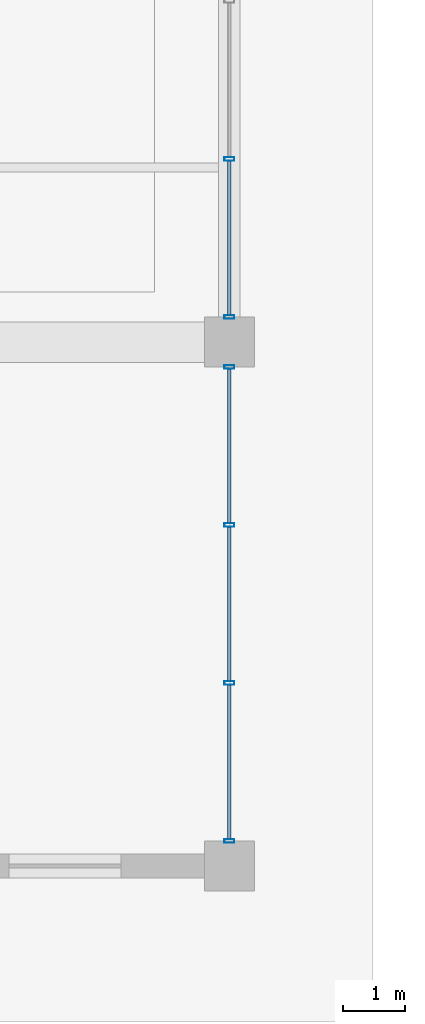
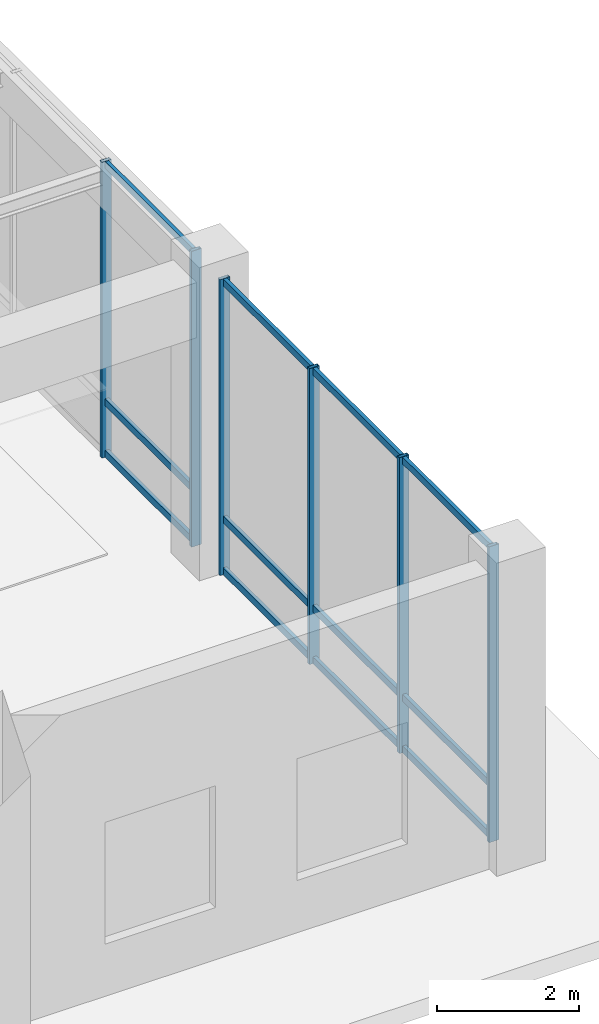
# One storey, part 86 of 157: 18 members, 2 elements without a shape of their own.
"""IFC4 building model written with IfcOpenShell, lengths in metres."""

from ifc_helpers import new_model, si_unit, direction, frame, origin, origin_2d, place, context, subcontext, project, spatial, hollow_rectangle, extrude, material, material_profile, profile_set, type_object, element, aggregate, save


model = new_model("IFC4")

# Units and contexts
model_context = context("Model", 3, precision=1e-05, world=origin(), true_north=direction((0.0, 1.0)))
body_context = subcontext(model_context, "Body", "Model", "MODEL_VIEW")
ifc_project = project(units=[si_unit("LENGTHUNIT", "METRE"), si_unit("AREAUNIT", "SQUARE_METRE"), si_unit("VOLUMEUNIT", "CUBIC_METRE"), si_unit("PLANEANGLEUNIT", "RADIAN"), si_unit("MASSUNIT", "GRAM", prefix="KILO"), si_unit("THERMODYNAMICTEMPERATUREUNIT", "KELVIN"), si_unit("POWERUNIT", "WATT")], contexts=[model_context])

# Site, building, storey
site_placement = place(None, origin())
site = spatial("IfcSite", under=ifc_project, at=site_placement, CompositionType="ELEMENT")
building_placement = place(site_placement, origin())
building = spatial("IfcBuilding", under=site, at=building_placement, Name="Darbajah Civic Hall", CompositionType="ELEMENT")
storey_placement = place(building_placement, origin())
storey = spatial("IfcBuildingStorey", under=building, at=storey_placement, Name="L00", CompositionType="ELEMENT", Elevation=0.0)

# Curtain wall, members
ifc_material_1 = material(Name="Anodised Bronze Aluminium and Low-E Glazing", Category="aluminium")
curtain_wall_type = type_object("IfcCurtainWallType", Name="Unitised Curtain Wall CW-17 7600x5100", PredefinedType="USERDEFINED", material=ifc_material_1)
curtain_wall_1_placement = place(storey_placement, origin())
curtain_wall_1 = element("IfcCurtainWall", 1, at=curtain_wall_1_placement, inside=storey, type_object=curtain_wall_type, Name="L00 unitised curtain wall CW-V3-L00-S1-B0", ObjectType="UNITISED CURTAIN WALL", PredefinedType="USERDEFINED")
ifc_material_2 = material(Name="Anodised Bronze Aluminium", Category="aluminium")
ifc_material_profile_1 = material_profile(ifc_material_2, hollow_rectangle(XDim=0.06005859375, YDim=0.159912109375, WallThickness=0.00341796875, at=origin_2d()), Name="ALU MULLION 60x160")
ifc_profile_set_1 = profile_set([ifc_material_profile_1], Name="Anodised Bronze Aluminium")
member_type_1 = type_object("IfcMemberType", Name="ALU MULLION 60x160", PredefinedType="MULLION", material=ifc_profile_set_1)
member_1_placement = place(storey_placement, frame((178.199951171875, 0.402099609375, 0.0), z_axis=(0.0, 0.0, 1.0), x_axis=(0.0, 1.0, 0.0)))
member_1 = element("IfcMember", 2, at=member_1_placement, type_object=member_type_1, Name="CW-V3-L00-S1-B0 mullion 1", PredefinedType="MULLION", context=body_context, shape_type="SweptSolid", body=[
    extrude(hollow_rectangle(XDim=0.06005859375, YDim=0.159912109375, WallThickness=0.00341796875, at=origin_2d()), origin(), (0.0, 0.0, 1.0), 5.10009765625),
])
member_2_placement = place(storey_placement, frame((178.199951171875, 2.93408203125, 0.0), z_axis=(0.0, 0.0, 1.0), x_axis=(0.0, 1.0, 0.0)))
member_2 = element("IfcMember", 3, at=member_2_placement, type_object=member_type_1, Name="CW-V3-L00-S1-B0 mullion 2", PredefinedType="MULLION", context=body_context, shape_type="SweptSolid", body=[
    extrude(hollow_rectangle(XDim=0.06005859375, YDim=0.159912109375, WallThickness=0.00341796875, at=origin_2d()), origin(), (0.0, 0.0, 1.0), 5.10009765625),
])
member_3_placement = place(storey_placement, frame((178.199951171875, 5.466064453125, 0.0), z_axis=(0.0, 0.0, 1.0), x_axis=(0.0, 1.0, 0.0)))
member_3 = element("IfcMember", 4, at=member_3_placement, type_object=member_type_1, Name="CW-V3-L00-S1-B0 mullion 3", PredefinedType="MULLION", context=body_context, shape_type="SweptSolid", body=[
    extrude(hollow_rectangle(XDim=0.06005859375, YDim=0.159912109375, WallThickness=0.00341796875, at=origin_2d()), origin(), (0.0, 0.0, 1.0), 5.10009765625),
])
member_4_placement = place(storey_placement, frame((178.199951171875, 7.998046875, 0.0), z_axis=(0.0, 0.0, 1.0), x_axis=(0.0, 1.0, 0.0)))
member_4 = element("IfcMember", 5, at=member_4_placement, type_object=member_type_1, Name="CW-V3-L00-S1-B0 mullion 4", PredefinedType="MULLION", context=body_context, shape_type="SweptSolid", body=[
    extrude(hollow_rectangle(XDim=0.06005859375, YDim=0.159912109375, WallThickness=0.00341796875, at=origin_2d()), origin(), (0.0, 0.0, 1.0), 5.10009765625),
])

curtain_wall_2_placement = place(storey_placement, origin())
curtain_wall_2 = element("IfcCurtainWall", 6, at=curtain_wall_2_placement, inside=storey, type_object=curtain_wall_type, Name="L00 unitised curtain wall CW-V3-L00-S1-B1", ObjectType="UNITISED CURTAIN WALL", PredefinedType="USERDEFINED")
member_5_placement = place(storey_placement, frame((178.199951171875, 8.802001953125, 0.0), z_axis=(0.0, 0.0, 1.0), x_axis=(0.0, 1.0, 0.0)))
member_5 = element("IfcMember", 7, at=member_5_placement, type_object=member_type_1, Name="CW-V3-L00-S1-B1 mullion 1", PredefinedType="MULLION", context=body_context, shape_type="SweptSolid", body=[
    extrude(hollow_rectangle(XDim=0.06005859375, YDim=0.159912109375, WallThickness=0.00341796875, at=origin_2d()), origin(), (0.0, 0.0, 1.0), 5.10009765625),
])
member_6_placement = place(storey_placement, frame((178.199951171875, 11.333984375, 0.0), z_axis=(0.0, 0.0, 1.0), x_axis=(0.0, 1.0, 0.0)))
member_6 = element("IfcMember", 8, at=member_6_placement, type_object=member_type_1, Name="CW-V3-L00-S1-B1 mullion 2", PredefinedType="MULLION", context=body_context, shape_type="SweptSolid", body=[
    extrude(hollow_rectangle(XDim=0.06005859375, YDim=0.159912109375, WallThickness=0.00341796875, at=origin_2d()), origin(), (0.0, 0.0, 1.0), 5.10009765625),
])

# Member
ifc_material_profile_2 = material_profile(ifc_material_2, hollow_rectangle(XDim=0.06005859375, YDim=0.1201171875, WallThickness=0.003173828125, at=origin_2d()), Name="ALU TRANSOM 60x120")
ifc_profile_set_2 = profile_set([ifc_material_profile_2], Name="Anodised Bronze Aluminium")
member_type_2 = type_object("IfcMemberType", Name="ALU TRANSOM 60x120", PredefinedType="USERDEFINED", material=ifc_profile_set_2)
member_7_placement = place(storey_placement, frame((178.199951171875, 0.43701171875, 0.06005859375), z_axis=(0.0, 1.0, 0.0), x_axis=(-1.0, 0.0, 0.0)))
member_7 = element("IfcMember", 9, at=member_7_placement, type_object=member_type_2, Name="CW-V3-L00-S1-B0 transom 1.1", ObjectType="TRANSOM", PredefinedType="USERDEFINED", context=body_context, shape_type="SweptSolid", body=[
    extrude(hollow_rectangle(XDim=0.06005859375, YDim=0.1201171875, WallThickness=0.003173828125, at=origin_2d()), origin(), (0.0, 0.0, 1.0), 2.4619140625),
])

member_8_placement = place(storey_placement, frame((178.199951171875, 0.43701171875, 0.949951171875), z_axis=(0.0, 1.0, 0.0), x_axis=(-1.0, 0.0, 0.0)))
member_8 = element("IfcMember", 10, at=member_8_placement, type_object=member_type_2, Name="CW-V3-L00-S1-B0 transom 1.2", ObjectType="TRANSOM", PredefinedType="USERDEFINED", context=body_context, shape_type="SweptSolid", body=[
    extrude(hollow_rectangle(XDim=0.06005859375, YDim=0.1201171875, WallThickness=0.003173828125, at=origin_2d()), origin(), (0.0, 0.0, 1.0), 2.4619140625),
])

member_9_placement = place(storey_placement, frame((178.199951171875, 0.43701171875, 5.0400390625), z_axis=(0.0, 1.0, 0.0), x_axis=(-1.0, 0.0, 0.0)))
member_9 = element("IfcMember", 11, at=member_9_placement, type_object=member_type_2, Name="CW-V3-L00-S1-B0 transom 1.3", ObjectType="TRANSOM", PredefinedType="USERDEFINED", context=body_context, shape_type="SweptSolid", body=[
    extrude(hollow_rectangle(XDim=0.06005859375, YDim=0.1201171875, WallThickness=0.003173828125, at=origin_2d()), origin(), (0.0, 0.0, 1.0), 2.4619140625),
])

member_10_placement = place(storey_placement, frame((178.199951171875, 2.968994140625, 0.06005859375), z_axis=(0.0, 1.0, 0.0), x_axis=(-1.0, 0.0, 0.0)))
member_10 = element("IfcMember", 12, at=member_10_placement, type_object=member_type_2, Name="CW-V3-L00-S1-B0 transom 2.1", ObjectType="TRANSOM", PredefinedType="USERDEFINED", context=body_context, shape_type="SweptSolid", body=[
    extrude(hollow_rectangle(XDim=0.06005859375, YDim=0.1201171875, WallThickness=0.003173828125, at=origin_2d()), origin(), (0.0, 0.0, 1.0), 2.4619140625),
])

member_11_placement = place(storey_placement, frame((178.199951171875, 2.968994140625, 0.949951171875), z_axis=(0.0, 1.0, 0.0), x_axis=(-1.0, 0.0, 0.0)))
member_11 = element("IfcMember", 13, at=member_11_placement, type_object=member_type_2, Name="CW-V3-L00-S1-B0 transom 2.2", ObjectType="TRANSOM", PredefinedType="USERDEFINED", context=body_context, shape_type="SweptSolid", body=[
    extrude(hollow_rectangle(XDim=0.06005859375, YDim=0.1201171875, WallThickness=0.003173828125, at=origin_2d()), origin(), (0.0, 0.0, 1.0), 2.4619140625),
])

member_12_placement = place(storey_placement, frame((178.199951171875, 2.968994140625, 5.0400390625), z_axis=(0.0, 1.0, 0.0), x_axis=(-1.0, 0.0, 0.0)))
member_12 = element("IfcMember", 14, at=member_12_placement, type_object=member_type_2, Name="CW-V3-L00-S1-B0 transom 2.3", ObjectType="TRANSOM", PredefinedType="USERDEFINED", context=body_context, shape_type="SweptSolid", body=[
    extrude(hollow_rectangle(XDim=0.06005859375, YDim=0.1201171875, WallThickness=0.003173828125, at=origin_2d()), origin(), (0.0, 0.0, 1.0), 2.4619140625),
])

member_13_placement = place(storey_placement, frame((178.199951171875, 5.5009765625, 0.06005859375), z_axis=(0.0, 1.0, 0.0), x_axis=(-1.0, 0.0, 0.0)))
member_13 = element("IfcMember", 15, at=member_13_placement, type_object=member_type_2, Name="CW-V3-L00-S1-B0 transom 3.1", ObjectType="TRANSOM", PredefinedType="USERDEFINED", context=body_context, shape_type="SweptSolid", body=[
    extrude(hollow_rectangle(XDim=0.06005859375, YDim=0.1201171875, WallThickness=0.003173828125, at=origin_2d()), origin(), (0.0, 0.0, 1.0), 2.4619140625),
])

member_14_placement = place(storey_placement, frame((178.199951171875, 5.5009765625, 0.949951171875), z_axis=(0.0, 1.0, 0.0), x_axis=(-1.0, 0.0, 0.0)))
member_14 = element("IfcMember", 16, at=member_14_placement, type_object=member_type_2, Name="CW-V3-L00-S1-B0 transom 3.2", ObjectType="TRANSOM", PredefinedType="USERDEFINED", context=body_context, shape_type="SweptSolid", body=[
    extrude(hollow_rectangle(XDim=0.06005859375, YDim=0.1201171875, WallThickness=0.003173828125, at=origin_2d()), origin(), (0.0, 0.0, 1.0), 2.4619140625),
])

member_15_placement = place(storey_placement, frame((178.199951171875, 5.5009765625, 5.0400390625), z_axis=(0.0, 1.0, 0.0), x_axis=(-1.0, 0.0, 0.0)))
member_15 = element("IfcMember", 17, at=member_15_placement, type_object=member_type_2, Name="CW-V3-L00-S1-B0 transom 3.3", ObjectType="TRANSOM", PredefinedType="USERDEFINED", context=body_context, shape_type="SweptSolid", body=[
    extrude(hollow_rectangle(XDim=0.06005859375, YDim=0.1201171875, WallThickness=0.003173828125, at=origin_2d()), origin(), (0.0, 0.0, 1.0), 2.4619140625),
])

aggregate(curtain_wall_1, [member_1, member_2, member_3, member_4, member_7, member_8, member_9, member_10, member_11, member_12, member_13, member_14, member_15])

member_16_placement = place(storey_placement, frame((178.199951171875, 8.8369140625, 0.06005859375), z_axis=(0.0, 1.0, 0.0), x_axis=(-1.0, 0.0, 0.0)))
member_16 = element("IfcMember", 18, at=member_16_placement, type_object=member_type_2, Name="CW-V3-L00-S1-B1 transom 1.1", ObjectType="TRANSOM", PredefinedType="USERDEFINED", context=body_context, shape_type="SweptSolid", body=[
    extrude(hollow_rectangle(XDim=0.06005859375, YDim=0.1201171875, WallThickness=0.003173828125, at=origin_2d()), origin(), (0.0, 0.0, 1.0), 2.462158203125),
])

member_17_placement = place(storey_placement, frame((178.199951171875, 8.8369140625, 0.949951171875), z_axis=(0.0, 1.0, 0.0), x_axis=(-1.0, 0.0, 0.0)))
member_17 = element("IfcMember", 19, at=member_17_placement, type_object=member_type_2, Name="CW-V3-L00-S1-B1 transom 1.2", ObjectType="TRANSOM", PredefinedType="USERDEFINED", context=body_context, shape_type="SweptSolid", body=[
    extrude(hollow_rectangle(XDim=0.06005859375, YDim=0.1201171875, WallThickness=0.003173828125, at=origin_2d()), origin(), (0.0, 0.0, 1.0), 2.462158203125),
])

member_18_placement = place(storey_placement, frame((178.199951171875, 8.8369140625, 5.0400390625), z_axis=(0.0, 1.0, 0.0), x_axis=(-1.0, 0.0, 0.0)))
member_18 = element("IfcMember", 20, at=member_18_placement, type_object=member_type_2, Name="CW-V3-L00-S1-B1 transom 1.3", ObjectType="TRANSOM", PredefinedType="USERDEFINED", context=body_context, shape_type="SweptSolid", body=[
    extrude(hollow_rectangle(XDim=0.06005859375, YDim=0.1201171875, WallThickness=0.003173828125, at=origin_2d()), origin(), (0.0, 0.0, 1.0), 2.462158203125),
])

aggregate(curtain_wall_2, [member_5, member_6, member_16, member_17, member_18])

save(model, "model.ifc")
